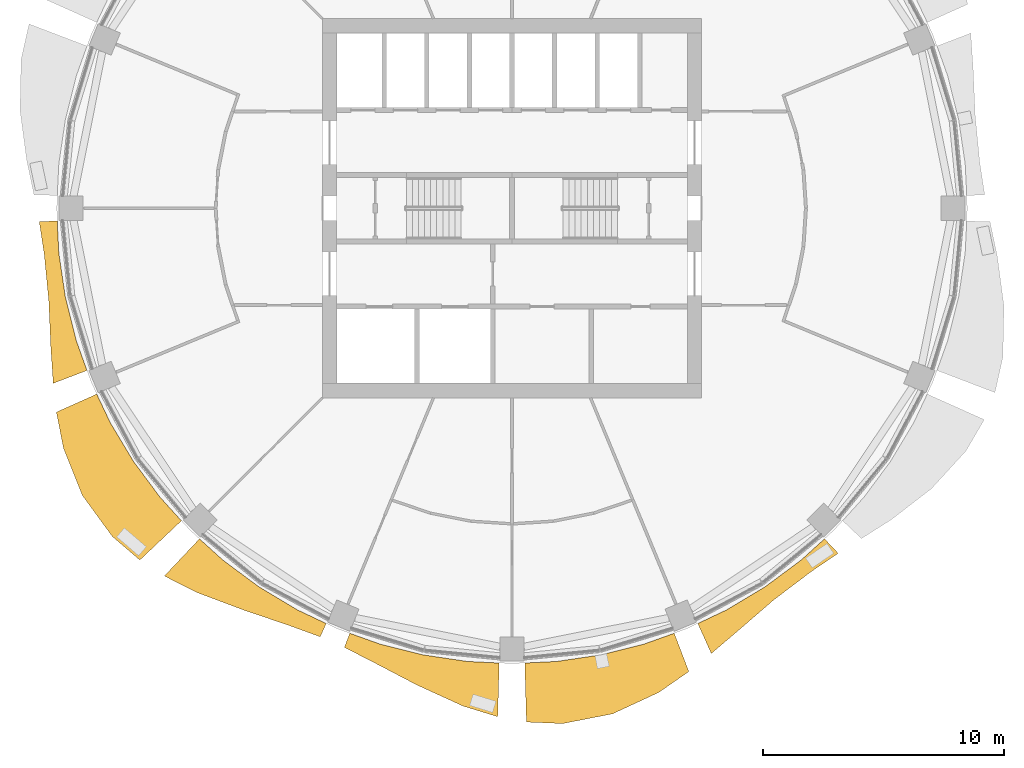
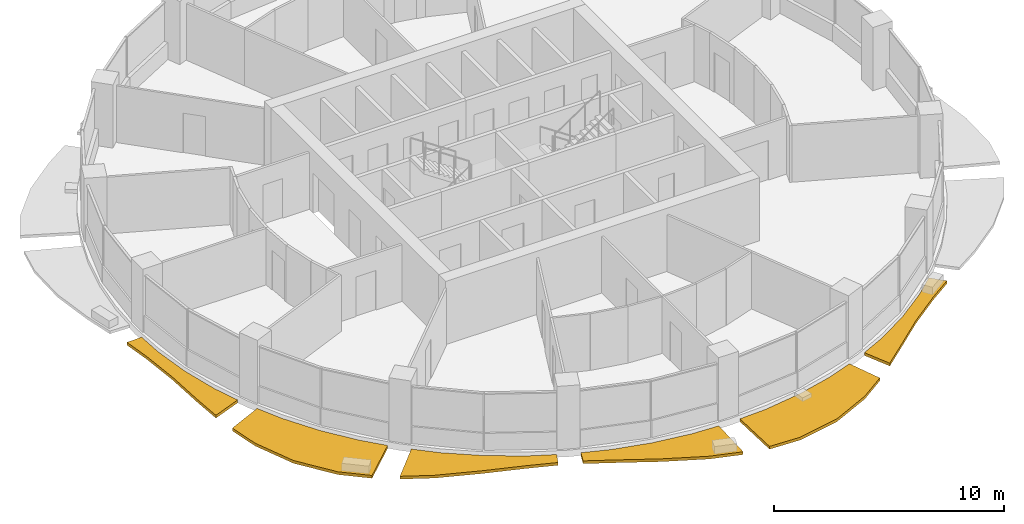
# One storey, part 11 of 14: 6 shading devices.
"""IFC4 building model written with IfcOpenShell, lengths in metres."""

from ifc_helpers import new_model, si_unit, direction, frame, origin, place, context, subcontext, project, spatial, polyline, outline, extrude, material, type_object, element, save


model = new_model("IFC4")

# Units and contexts
model_context = context("Model", 3, precision=1e-05, world=origin(), true_north=direction((0.0, 1.0)))
body_context = subcontext(model_context, "Body", "Model", "MODEL_VIEW")
ifc_project = project(units=[si_unit("LENGTHUNIT", "METRE"), si_unit("AREAUNIT", "SQUARE_METRE"), si_unit("VOLUMEUNIT", "CUBIC_METRE"), si_unit("PLANEANGLEUNIT", "RADIAN"), si_unit("MASSUNIT", "GRAM", prefix="KILO")], contexts=[model_context])

# Site, building, storey
site_placement = place(None, origin())
site = spatial("IfcSite", under=ifc_project, at=site_placement, CompositionType="ELEMENT")
building_placement = place(site_placement, origin())
building = spatial("IfcBuilding", under=site, at=building_placement, Name="Polderwave Tower", CompositionType="ELEMENT")
storey_placement = place(building_placement, frame((0.0, 0.0, 144.39990234375)))
storey = spatial("IfcBuildingStorey", under=building, at=storey_placement, Name="L38", CompositionType="ELEMENT", Elevation=144.39990234375)

# Shading devices
ifc_material = material(Name="Terracotta", Category="masonry")
shading_device_type = type_object("IfcShadingDeviceType", Name="Terracotta sunshade band", PredefinedType="USERDEFINED", material=ifc_material)
shading_device_1_placement = place(storey_placement, frame((0.0, 0.0, -0.349853515625)))
element("IfcShadingDevice", 1, at=shading_device_1_placement, inside=storey, type_object=shading_device_type, Name="Sunshade band L38 9", ObjectType="SUNSHADE", PredefinedType="USERDEFINED", context=body_context, shape_type="SweptSolid", body=[
    extrude(outline(polyline([(-18.8740234375, -0.5302734375), (-18.80908203125, -1.8525390625), (-18.536865234375, -3.687255859375), (-18.086181640625, -5.486328125), (-17.64013671875, -6.73291015625), (-19.040771484375, -7.267578125), (-19.140380859375, -5.80615234375), (-19.227294921875, -3.824462890625), (-19.414306640625, -1.912109375), (-19.620849609375, -0.551025390625), (-18.8740234375, -0.5302734375)])), origin(), (0.0, 0.0, 1.0), 0.14990234375),
])
shading_device_2_placement = place(storey_placement, frame((0.0, 0.0, -0.349853515625)))
element("IfcShadingDevice", 2, at=shading_device_2_placement, inside=storey, type_object=shading_device_type, Name="Sunshade band L38 10", ObjectType="SUNSHADE", PredefinedType="USERDEFINED", context=body_context, shape_type="SweptSolid", body=[
    extrude(outline(polyline([(-17.234375, -7.712646484375), (-16.668212890625, -8.909423828125), (-15.71484375, -10.500244140625), (-14.60986328125, -11.989990234375), (-13.720703125, -12.970947265625), (-15.446533203125, -14.6025390625), (-16.593017578125, -13.617431640625), (-17.8330078125, -11.91552734375), (-18.61767578125, -9.951416015625), (-18.908203125, -8.461669921875), (-17.234375, -7.712646484375)])), origin(), (0.0, 0.0, 1.0), 0.14990234375),
])
shading_device_3_placement = place(storey_placement, frame((0.0, 0.0, -0.349853515625)))
element("IfcShadingDevice", 3, at=shading_device_3_placement, inside=storey, type_object=shading_device_type, Name="Sunshade band L38 11", ObjectType="SUNSHADE", PredefinedType="USERDEFINED", context=body_context, shape_type="SweptSolid", body=[
    extrude(outline(polyline([(-12.970947265625, -13.720703125), (-11.989990234375, -14.60986328125), (-10.500244140625, -15.71484375), (-8.909423828125, -16.668212890625), (-7.712646484375, -17.234375), (-7.959716796875, -17.78662109375), (-9.2548828125, -17.314697265625), (-11.142578125, -16.67578125), (-13.086669921875, -15.946044921875), (-14.428955078125, -15.262939453125), (-12.970947265625, -13.720703125)])), origin(), (0.0, 0.0, 1.0), 0.14990234375),
])
shading_device_4_placement = place(storey_placement, frame((0.0, 0.0, -0.349853515625)))
element("IfcShadingDevice", 4, at=shading_device_4_placement, inside=storey, type_object=shading_device_type, Name="Sunshade band L38 12", ObjectType="SUNSHADE", PredefinedType="USERDEFINED", context=body_context, shape_type="SweptSolid", body=[
    extrude(outline(polyline([(-6.73291015625, -17.64013671875), (-5.486328125, -18.086181640625), (-3.687255859375, -18.536865234375), (-1.8525390625, -18.80908203125), (-0.5302734375, -18.8740234375), (-0.5927734375, -21.105224609375), (-2.034912109375, -20.66064453125), (-3.93701171875, -19.79248046875), (-5.720947265625, -18.859130859375), (-6.956787109375, -18.2265625), (-6.73291015625, -17.64013671875)])), origin(), (0.0, 0.0, 1.0), 0.14990234375),
])
shading_device_5_placement = place(storey_placement, frame((0.0, 0.0, -0.349853515625)))
element("IfcShadingDevice", 5, at=shading_device_5_placement, inside=storey, type_object=shading_device_type, Name="Sunshade band L38 13", ObjectType="SUNSHADE", PredefinedType="USERDEFINED", context=body_context, shape_type="SweptSolid", body=[
    extrude(outline(polyline([(0.5302734375, -18.8740234375), (1.8525390625, -18.80908203125), (3.687255859375, -18.536865234375), (5.486328125, -18.086181640625), (6.73291015625, -17.64013671875), (7.339599609375, -19.229248046875), (6.095458984375, -20.093994140625), (4.17431640625, -20.98486328125), (2.106689453125, -21.38818359375), (0.59912109375, -21.32568359375), (0.5302734375, -18.8740234375)])), origin(), (0.0, 0.0, 1.0), 0.14990234375),
])
shading_device_6_placement = place(storey_placement, frame((0.0, 0.0, -0.349853515625)))
element("IfcShadingDevice", 6, at=shading_device_6_placement, inside=storey, type_object=shading_device_type, Name="Sunshade band L38 14", ObjectType="SUNSHADE", PredefinedType="USERDEFINED", context=body_context, shape_type="SweptSolid", body=[
    extrude(outline(polyline([(7.712646484375, -17.234375), (8.909423828125, -16.668212890625), (10.500244140625, -15.71484375), (11.989990234375, -14.60986328125), (12.970947265625, -13.720703125), (13.537841796875, -14.3203125), (12.392578125, -15.100341796875), (10.86279296875, -16.25732421875), (9.3759765625, -17.541015625), (8.270751953125, -18.4814453125), (7.712646484375, -17.234375)])), origin(), (0.0, 0.0, 1.0), 0.14990234375),
])

save(model, "model.ifc")
